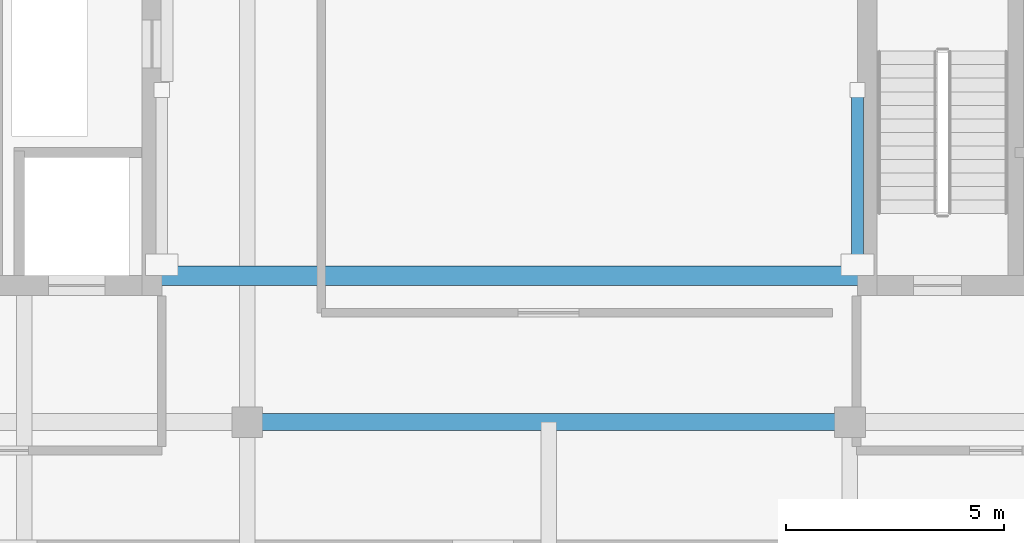
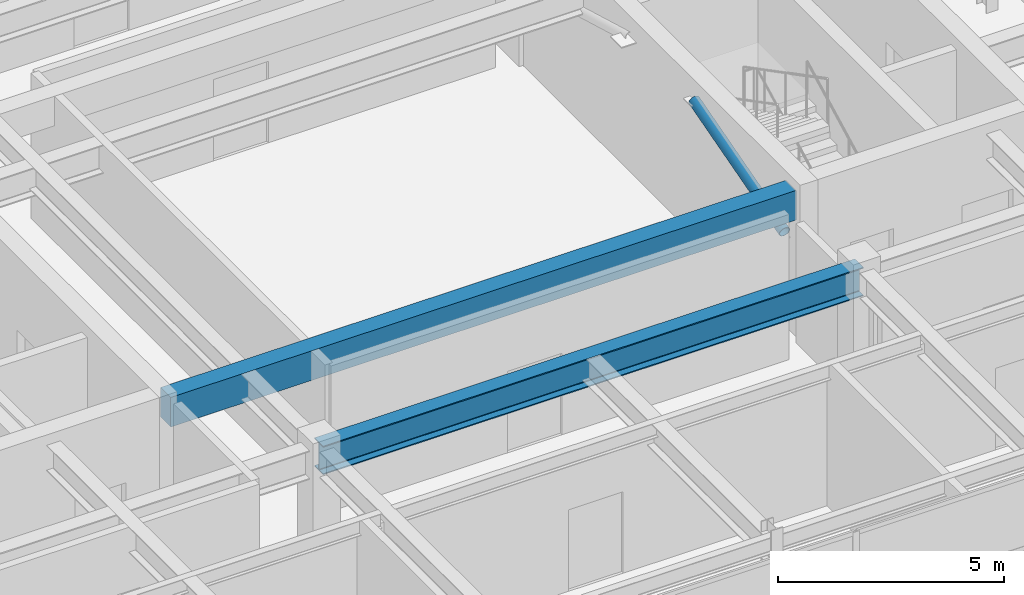
# One storey, part 10 of 32: 2 beams, 1 member.
"""IFC4 building model written with IfcOpenShell, lengths in metres."""

from ifc_helpers import new_model, si_unit, direction, frame, origin, origin_2d, place, context, subcontext, project, spatial, rectangle, hollow_circle, i_section, extrude, source, transform, mapped, material, material_profile, profile_set, type_object, element, save


model = new_model("IFC4")

# Units and contexts
model_context = context("Model", 3, precision=1e-05, world=origin(), true_north=direction((0.0, 1.0)))
body_context = subcontext(model_context, "Body", "Model", "MODEL_VIEW")
ifc_project = project(units=[si_unit("LENGTHUNIT", "METRE"), si_unit("AREAUNIT", "SQUARE_METRE"), si_unit("VOLUMEUNIT", "CUBIC_METRE"), si_unit("PLANEANGLEUNIT", "RADIAN"), si_unit("MASSUNIT", "GRAM", prefix="KILO")], contexts=[model_context])

# Site, building, storey
site_placement = place(None, origin())
site = spatial("IfcSite", under=ifc_project, at=site_placement, CompositionType="ELEMENT")
building_placement = place(site_placement, origin())
building = spatial("IfcBuilding", under=site, at=building_placement, Name="Khoralis Quay Care Tower", CompositionType="ELEMENT")
storey_placement = place(building_placement, frame((0.0, 0.0, 306.300048828125)))
storey = spatial("IfcBuildingStorey", under=building, at=storey_placement, Name="L80", CompositionType="ELEMENT", Elevation=306.300048828125)

# Beams
ifc_material_1 = material(Name="Concrete C50/60", Category="concrete")
ifc_material_profile_1 = material_profile(ifc_material_1, rectangle(XDim=0.449951171875, YDim=0.800048828125, at=origin_2d()), Name="Concrete C50/60")
ifc_profile_set_1 = profile_set([ifc_material_profile_1], Name="Concrete C50/60")
beam_type_1 = type_object("IfcBeamType", Name="CB-RC450X800", PredefinedType="LINTEL", material=ifc_profile_set_1)
shared_shape_1 = source(origin(), body_context, "Body", "SweptSolid", [
    extrude(rectangle(XDim=0.449951171875, YDim=0.800048828125, at=origin_2d()), origin(), (0.0, 0.0, 1.0), 15.97998046875),
])
beam_1_placement = place(storey_placement, frame((15.1201171875, 15.35009765625, 3.52001953125), z_axis=(1.0, 0.0, 0.0), x_axis=(0.0, 1.0, 0.0)))
element("IfcBeam", 1, at=beam_1_placement, inside=storey, type_object=beam_type_1, Name="L80 South Core Coupling Lintel", PredefinedType="LINTEL", context=body_context, shape_type="MappedRepresentation", body=[
    mapped(shared_shape_1, transform((0.0, 0.0, 0.0), scale=1.0)),
])
ifc_material_2 = material(Name="Steel S355", Category="steel")
ifc_material_profile_2 = material_profile(ifc_material_2, i_section(OverallWidth=0.381103515625, OverallDepth=0.77294921875, WebThickness=0.0166015625, FlangeThickness=0.027587890625, FilletRadius=0.02197265625, at=origin_2d()), Name="Steel S355")
ifc_profile_set_2 = profile_set([ifc_material_profile_2], Name="Steel S355")
beam_type_2 = type_object("IfcBeamType", Name="BM-W760X257", PredefinedType="BEAM", material=ifc_profile_set_2)
shared_shape_2 = source(origin(), body_context, "Body", "SweptSolid", [
    extrude(i_section(OverallWidth=0.381103515625, OverallDepth=0.77294921875, WebThickness=0.0166015625, FlangeThickness=0.027587890625, FilletRadius=0.02197265625, at=origin_2d()), origin(), (0.0, 0.0, 1.0), 13.7998046875),
])
beam_2_placement = place(storey_placement, frame((17.10009765625, 12.0, 3.533447265625), z_axis=(1.0, 0.0, 0.0), x_axis=(0.0, 1.0, 0.0)))
element("IfcBeam", 2, at=beam_2_placement, inside=storey, type_object=beam_type_2, Name="BM-TGCC-L80-120", PredefinedType="BEAM", context=body_context, shape_type="MappedRepresentation", body=[
    mapped(shared_shape_2, transform((0.0, 0.0, 0.0), scale=1.0)),
])

# Member
ifc_material_profile_3 = material_profile(ifc_material_2, hollow_circle(Radius=0.136474609375, WallThickness=0.012451171875, at=origin_2d()), Name="Steel S355")
ifc_profile_set_3 = profile_set([ifc_material_profile_3], Name="Steel S355")
member_type = type_object("IfcMemberType", Name="ST-CHS273X12", PredefinedType="STRUT", material=ifc_profile_set_3)
shared_shape_3 = source(origin(), body_context, "Body", "SweptSolid", [
    extrude(hollow_circle(Radius=0.136474609375, WallThickness=0.012451171875, at=origin_2d()), origin(), (0.0, 0.0, 1.0), 4.156494140625),
])
member_placement = place(storey_placement, frame((31.072021484375, 15.60009765625, 2.52001953125), z_axis=(0.0, 0.962344148942, 0.2718340284), x_axis=(-1.0, 0.0, 0.0)))
element("IfcMember", 3, at=member_placement, inside=storey, type_object=member_type, Name="L80 Lantern Diagrid Strut 3", PredefinedType="STRUT", context=body_context, shape_type="MappedRepresentation", body=[
    mapped(shared_shape_3, transform((0.0, 0.0, 0.0), scale=1.0)),
])

save(model, "model.ifc")
